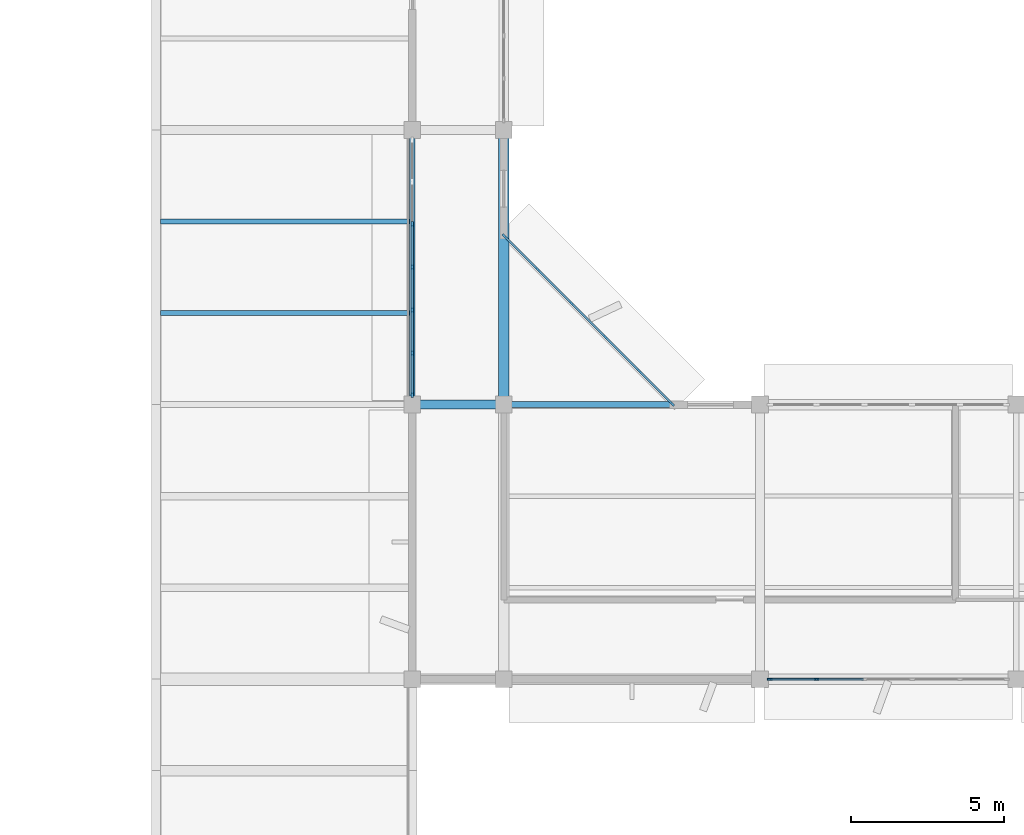
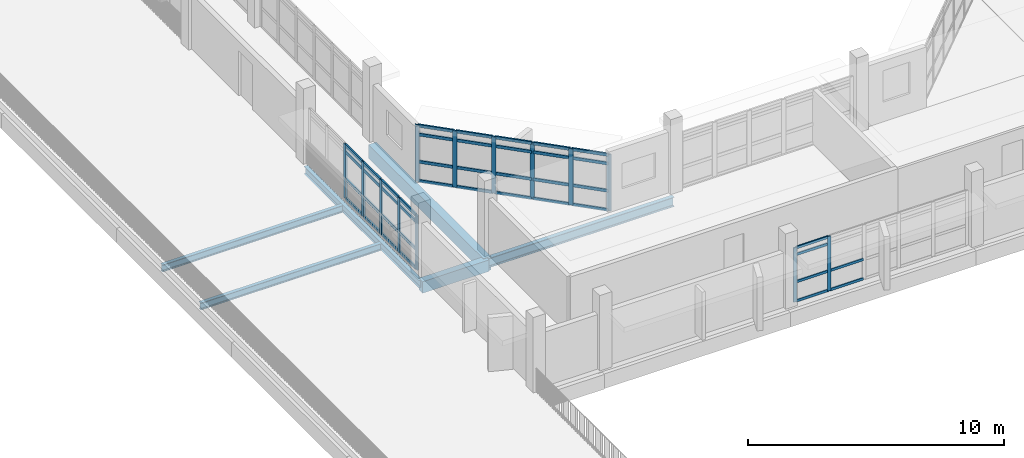
# One storey, part 10 of 92: 55 members, 6 beams, 3 elements without a shape of their own.
"""IFC4 building model written with IfcOpenShell, lengths in metres."""

from ifc_helpers import new_model, si_unit, direction, frame, origin, origin_2d, place, context, subcontext, project, spatial, rectangle, i_section, extrude, material, material_profile, profile_set, type_object, element, aggregate, save


model = new_model("IFC4")

# Units and contexts
model_context = context("Model", 3, precision=1e-05, world=origin(), true_north=direction((0.0, 1.0)))
body_context = subcontext(model_context, "Body", "Model", "MODEL_VIEW")
ifc_project = project(units=[si_unit("LENGTHUNIT", "METRE"), si_unit("AREAUNIT", "SQUARE_METRE"), si_unit("VOLUMEUNIT", "CUBIC_METRE"), si_unit("PLANEANGLEUNIT", "RADIAN"), si_unit("MASSUNIT", "GRAM", prefix="KILO")], contexts=[model_context])

# Site, building, storey
site_placement = place(None, origin())
site = spatial("IfcSite", under=ifc_project, at=site_placement, CompositionType="ELEMENT")
building_placement = place(site_placement, origin())
building = spatial("IfcBuilding", under=site, at=building_placement, Name="Vanh Quang Courtyard School", CompositionType="ELEMENT")
storey_placement = place(building_placement, frame((0.0, 0.0, 7.800048828125)))
storey = spatial("IfcBuildingStorey", under=building, at=storey_placement, Name="L02", CompositionType="ELEMENT", Elevation=7.800048828125)

# Beams
ifc_material_1 = material(Name="Concrete C35/45", Category="concrete")
ifc_material_profile_1 = material_profile(ifc_material_1, rectangle(XDim=0.300048828125, YDim=0.550048828125, at=origin_2d()), Name="RC-BM 300x550")
ifc_profile_set_1 = profile_set([ifc_material_profile_1], Name="Concrete C35/45")
beam_type_1 = type_object("IfcBeamType", Name="BM-RC-300x550", PredefinedType="BEAM", material=ifc_profile_set_1)
beam_1_placement = place(storey_placement, frame((37.800048828125, 41.39990234375, -0.594970703125), z_axis=(1.0, 0.0, 0.0), x_axis=(0.0, 1.0, 0.0)))
element("IfcBeam", 1, at=beam_1_placement, inside=storey, type_object=beam_type_1, Name="Beam B-07 (L02)", PredefinedType="BEAM", context=body_context, shape_type="SweptSolid", body=[
    extrude(rectangle(XDim=0.300048828125, YDim=0.550048828125, at=origin_2d()), origin(), (0.0, 0.0, 1.0), 3.0),
])
ifc_material_profile_2 = material_profile(ifc_material_1, rectangle(XDim=0.35009765625, YDim=0.64990234375, at=origin_2d()), Name="RC-BM 350x650")
ifc_profile_set_2 = profile_set([ifc_material_profile_2], Name="Concrete C35/45")
beam_type_2 = type_object("IfcBeamType", Name="BM-RC-350x650", PredefinedType="BEAM", material=ifc_profile_set_2)
beam_2_placement = place(storey_placement, frame((40.800048828125, 41.39990234375, -0.625), z_axis=(0.0, 1.0, 0.0), x_axis=(-1.0, 0.0, 0.0)))
element("IfcBeam", 2, at=beam_2_placement, inside=storey, type_object=beam_type_2, Name="Beam B-05 (L02)", PredefinedType="BEAM", context=body_context, shape_type="SweptSolid", body=[
    extrude(rectangle(XDim=0.35009765625, YDim=0.64990234375, at=origin_2d()), origin(), (0.0, 0.0, 1.0), 9.0),
])
ifc_material_2 = material(Name="Structural steel EN 10025-2 S355J2", Category="steel")
ifc_material_profile_3 = material_profile(ifc_material_2, i_section(OverallWidth=0.169921875, OverallDepth=0.360107421875, WebThickness=0.008056640625, FlangeThickness=0.0126953125, FilletRadius=0.01806640625, at=origin_2d()), Name="IPE 360")
ifc_profile_set_3 = profile_set([ifc_material_profile_3], Name="Structural steel EN 10025-2 S355J2")
beam_type_3 = type_object("IfcBeamType", Name="BM-STL-IPE360", PredefinedType="BEAM", material=ifc_profile_set_3)
beam_3_placement = place(storey_placement, frame((37.800048828125, 41.39990234375, -0.5), z_axis=(0.0, 1.0, 0.0), x_axis=(-1.0, 0.0, 0.0)))
element("IfcBeam", 3, at=beam_3_placement, inside=storey, type_object=beam_type_3, Name="Beam SB-06 (L02)", PredefinedType="BEAM", context=body_context, shape_type="SweptSolid", body=[
    extrude(i_section(OverallWidth=0.169921875, OverallDepth=0.360107421875, WebThickness=0.008056640625, FlangeThickness=0.0126953125, FilletRadius=0.01806640625, at=origin_2d()), origin(), (0.0, 0.0, 1.0), 9.0),
])
ifc_material_profile_4 = material_profile(ifc_material_2, i_section(OverallWidth=0.18994140625, OverallDepth=0.449951171875, WebThickness=0.009521484375, FlangeThickness=0.0146484375, FilletRadius=0.02099609375, at=origin_2d()), Name="IPE 450")
ifc_profile_set_4 = profile_set([ifc_material_profile_4], Name="Structural steel EN 10025-2 S355J2")
beam_type_4 = type_object("IfcBeamType", Name="BM-STL-IPE450", PredefinedType="BEAM", material=ifc_profile_set_4)
beam_4_placement = place(storey_placement, frame((40.800048828125, 41.39990234375, -0.525146484375), z_axis=(1.0, 0.0, 0.0), x_axis=(0.0, 1.0, 0.0)))
element("IfcBeam", 4, at=beam_4_placement, inside=storey, type_object=beam_type_4, Name="Beam SB-04 (L02)", PredefinedType="BEAM", context=body_context, shape_type="SweptSolid", body=[
    extrude(i_section(OverallWidth=0.18994140625, OverallDepth=0.449951171875, WebThickness=0.009521484375, FlangeThickness=0.0146484375, FilletRadius=0.02099609375, at=origin_2d()), origin(), (0.0, 0.0, 1.0), 8.39990234375),
])

# Curtain wall, members
ifc_material_3 = material(Name="Thermally broken aluminium unitised curtain wall", Category="aluminium")
curtain_wall_type_1 = type_object("IfcCurtainWallType", Name="CW-SYS-24", PredefinedType="NOTDEFINED", material=ifc_material_3)
curtain_wall_1_placement = place(storey_placement, origin())
curtain_wall_1 = element("IfcCurtainWall", 5, at=curtain_wall_1_placement, inside=storey, type_object=curtain_wall_type_1, Name="Curtain Wall CW-24 (L02)", PredefinedType="NOTDEFINED")
ifc_material_4 = material(Name="Anodised aluminium 6063-T6", Category="aluminium")
ifc_material_profile_5 = material_profile(ifc_material_4, rectangle(XDim=0.06005859375, YDim=0.159912109375, at=origin_2d()), Name="ALU-MUL 60x160")
ifc_profile_set_5 = profile_set([ifc_material_profile_5], Name="Anodised aluminium 6063-T6")
member_type_1 = type_object("IfcMemberType", Name="CW-MUL-60x160", PredefinedType="MULLION", material=ifc_profile_set_5)
member_1_placement = place(storey_placement, frame((51.0498046875, 32.39990234375, 0.0), z_axis=(0.0, 0.0, 1.0), x_axis=(0.0, -1.0, 0.0)))
member_1 = element("IfcMember", 6, at=member_1_placement, type_object=member_type_1, Name="CW-24 mullion 5", PredefinedType="MULLION", context=body_context, shape_type="SweptSolid", body=[
    extrude(rectangle(XDim=0.06005859375, YDim=0.159912109375, at=origin_2d()), origin(), (0.0, 0.0, 1.0), 2.599853515625),
])
member_2_placement = place(storey_placement, frame((49.512939453125, 32.39990234375, 0.0), z_axis=(0.0, 0.0, 1.0), x_axis=(0.0, -1.0, 0.0)))
member_2 = element("IfcMember", 7, at=member_2_placement, type_object=member_type_1, Name="CW-24 mullion 6", PredefinedType="MULLION", context=body_context, shape_type="SweptSolid", body=[
    extrude(rectangle(XDim=0.06005859375, YDim=0.159912109375, at=origin_2d()), origin(), (0.0, 0.0, 1.0), 2.599853515625),
])

curtain_wall_type_2 = type_object("IfcCurtainWallType", Name="CW-SYS-48", PredefinedType="NOTDEFINED", material=ifc_material_3)
curtain_wall_2_placement = place(storey_placement, origin())
curtain_wall_2 = element("IfcCurtainWall", 8, at=curtain_wall_2_placement, inside=storey, type_object=curtain_wall_type_2, Name="Curtain Wall CW-48 (L02)", PredefinedType="NOTDEFINED")
ifc_material_profile_6 = material_profile(ifc_material_4, rectangle(XDim=0.070068359375, YDim=0.179931640625, at=origin_2d()), Name="ALU-MUL 70x180")
ifc_profile_set_6 = profile_set([ifc_material_profile_6], Name="Anodised aluminium 6063-T6")
member_type_2 = type_object("IfcMemberType", Name="CW-MUL-70x180", PredefinedType="MULLION", material=ifc_profile_set_6)
member_3_placement = place(storey_placement, frame((37.800048828125, 41.718017578125, 0.0), z_axis=(0.0, 0.0, 1.0), x_axis=(-1.0, 0.0, 0.0)))
member_3 = element("IfcMember", 9, at=member_3_placement, type_object=member_type_2, Name="CW-48 mullion 1", PredefinedType="MULLION", context=body_context, shape_type="SweptSolid", body=[
    extrude(rectangle(XDim=0.070068359375, YDim=0.179931640625, at=origin_2d()), origin(), (0.0, 0.0, 1.0), 2.599853515625),
])
member_4_placement = place(storey_placement, frame((37.800048828125, 43.088623046875, 0.0), z_axis=(0.0, 0.0, 1.0), x_axis=(-1.0, 0.0, 0.0)))
member_4 = element("IfcMember", 10, at=member_4_placement, type_object=member_type_2, Name="CW-48 mullion 2", PredefinedType="MULLION", context=body_context, shape_type="SweptSolid", body=[
    extrude(rectangle(XDim=0.070068359375, YDim=0.179931640625, at=origin_2d()), origin(), (0.0, 0.0, 1.0), 2.599853515625),
])
member_5_placement = place(storey_placement, frame((37.800048828125, 44.494384765625, 0.0), z_axis=(0.0, 0.0, 1.0), x_axis=(-1.0, 0.0, 0.0)))
member_5 = element("IfcMember", 11, at=member_5_placement, type_object=member_type_2, Name="CW-48 mullion 3", PredefinedType="MULLION", context=body_context, shape_type="SweptSolid", body=[
    extrude(rectangle(XDim=0.070068359375, YDim=0.179931640625, at=origin_2d()), origin(), (0.0, 0.0, 1.0), 2.599853515625),
])
member_6_placement = place(storey_placement, frame((37.800048828125, 45.89990234375, 0.0), z_axis=(0.0, 0.0, 1.0), x_axis=(-1.0, 0.0, 0.0)))
member_6 = element("IfcMember", 12, at=member_6_placement, type_object=member_type_2, Name="CW-48 mullion 4", PredefinedType="MULLION", context=body_context, shape_type="SweptSolid", body=[
    extrude(rectangle(XDim=0.070068359375, YDim=0.179931640625, at=origin_2d()), origin(), (0.0, 0.0, 1.0), 2.599853515625),
])
member_7_placement = place(storey_placement, frame((37.800048828125, 47.3056640625, 0.0), z_axis=(0.0, 0.0, 1.0), x_axis=(-1.0, 0.0, 0.0)))
member_7 = element("IfcMember", 13, at=member_7_placement, type_object=member_type_2, Name="CW-48 mullion 5", PredefinedType="MULLION", context=body_context, shape_type="SweptSolid", body=[
    extrude(rectangle(XDim=0.070068359375, YDim=0.179931640625, at=origin_2d()), origin(), (0.0, 0.0, 1.0), 2.599853515625),
])

curtain_wall_type_3 = type_object("IfcCurtainWallType", Name="CW-SYS-51", PredefinedType="NOTDEFINED", material=ifc_material_3)
curtain_wall_3_placement = place(storey_placement, origin())
curtain_wall_3 = element("IfcCurtainWall", 14, at=curtain_wall_3_placement, inside=storey, type_object=curtain_wall_type_3, Name="Curtain Wall CW-51 (L02)", PredefinedType="NOTDEFINED")
member_8_placement = place(storey_placement, frame((40.82470703125, 46.919189453125, 0.0), z_axis=(0.0, 0.0, 1.0), x_axis=(0.707106781187, 0.707106781187, 0.0)))
member_8 = element("IfcMember", 15, at=member_8_placement, type_object=member_type_2, Name="CW-51 mullion 1", PredefinedType="MULLION", context=body_context, shape_type="SweptSolid", body=[
    extrude(rectangle(XDim=0.070068359375, YDim=0.179931640625, at=origin_2d()), origin(), (0.0, 0.0, 1.0), 2.699951171875),
])
member_9_placement = place(storey_placement, frame((41.90869140625, 45.835205078125, 0.0), z_axis=(0.0, 0.0, 1.0), x_axis=(0.707106781187, 0.707106781187, 0.0)))
member_9 = element("IfcMember", 16, at=member_9_placement, type_object=member_type_2, Name="CW-51 mullion 2", PredefinedType="MULLION", context=body_context, shape_type="SweptSolid", body=[
    extrude(rectangle(XDim=0.070068359375, YDim=0.179931640625, at=origin_2d()), origin(), (0.0, 0.0, 1.0), 2.699951171875),
])
member_10_placement = place(storey_placement, frame((43.017578125, 44.726318359375, 0.0), z_axis=(0.0, 0.0, 1.0), x_axis=(0.707106781187, 0.707106781187, 0.0)))
member_10 = element("IfcMember", 17, at=member_10_placement, type_object=member_type_2, Name="CW-51 mullion 3", PredefinedType="MULLION", context=body_context, shape_type="SweptSolid", body=[
    extrude(rectangle(XDim=0.070068359375, YDim=0.179931640625, at=origin_2d()), origin(), (0.0, 0.0, 1.0), 2.699951171875),
])
member_11_placement = place(storey_placement, frame((44.12646484375, 43.61767578125, 0.0), z_axis=(0.0, 0.0, 1.0), x_axis=(0.707106781187, 0.707106781187, 0.0)))
member_11 = element("IfcMember", 18, at=member_11_placement, type_object=member_type_2, Name="CW-51 mullion 4", PredefinedType="MULLION", context=body_context, shape_type="SweptSolid", body=[
    extrude(rectangle(XDim=0.070068359375, YDim=0.179931640625, at=origin_2d()), origin(), (0.0, 0.0, 1.0), 2.699951171875),
])
member_12_placement = place(storey_placement, frame((45.235107421875, 42.5087890625, 0.0), z_axis=(0.0, 0.0, 1.0), x_axis=(0.707106781187, 0.707106781187, 0.0)))
member_12 = element("IfcMember", 19, at=member_12_placement, type_object=member_type_2, Name="CW-51 mullion 5", PredefinedType="MULLION", context=body_context, shape_type="SweptSolid", body=[
    extrude(rectangle(XDim=0.070068359375, YDim=0.179931640625, at=origin_2d()), origin(), (0.0, 0.0, 1.0), 2.699951171875),
])
member_13_placement = place(storey_placement, frame((46.3193359375, 41.4248046875, 0.0), z_axis=(0.0, 0.0, 1.0), x_axis=(0.707106781187, 0.707106781187, 0.0)))
member_13 = element("IfcMember", 20, at=member_13_placement, type_object=member_type_2, Name="CW-51 mullion 6", PredefinedType="MULLION", context=body_context, shape_type="SweptSolid", body=[
    extrude(rectangle(XDim=0.070068359375, YDim=0.179931640625, at=origin_2d()), origin(), (0.0, 0.0, 1.0), 2.699951171875),
])

# Member
ifc_material_profile_7 = material_profile(ifc_material_4, rectangle(XDim=0.06005859375, YDim=0.1201171875, at=origin_2d()), Name="ALU-TRN 60x120")
ifc_profile_set_7 = profile_set([ifc_material_profile_7], Name="Anodised aluminium 6063-T6")
member_type_3 = type_object("IfcMemberType", Name="CW-TRN-60x120", PredefinedType="USERDEFINED", material=ifc_profile_set_7)
member_14_placement = place(storey_placement, frame((52.586669921875, 32.39990234375, 0.030029296875), z_axis=(-1.0, 0.0, 0.0), x_axis=(0.0, -1.0, 0.0)))
member_14 = element("IfcMember", 21, at=member_14_placement, type_object=member_type_3, Name="CW-24 transom 4.1", ObjectType="TRANSOM", PredefinedType="USERDEFINED", context=body_context, shape_type="SweptSolid", body=[
    extrude(rectangle(XDim=0.06005859375, YDim=0.1201171875, at=origin_2d()), origin(), (0.0, 0.0, 1.0), 1.5068359375),
])

member_15_placement = place(storey_placement, frame((52.586669921875, 32.39990234375, 0.949951171875), z_axis=(-1.0, 0.0, 0.0), x_axis=(0.0, -1.0, 0.0)))
member_15 = element("IfcMember", 22, at=member_15_placement, type_object=member_type_3, Name="CW-24 transom 4.2", ObjectType="TRANSOM", PredefinedType="USERDEFINED", context=body_context, shape_type="SweptSolid", body=[
    extrude(rectangle(XDim=0.06005859375, YDim=0.1201171875, at=origin_2d()), origin(), (0.0, 0.0, 1.0), 1.5068359375),
])

member_16_placement = place(storey_placement, frame((51.019775390625, 32.39990234375, 0.030029296875), z_axis=(-1.0, 0.0, 0.0), x_axis=(0.0, -1.0, 0.0)))
member_16 = element("IfcMember", 23, at=member_16_placement, type_object=member_type_3, Name="CW-24 transom 5.1", ObjectType="TRANSOM", PredefinedType="USERDEFINED", context=body_context, shape_type="SweptSolid", body=[
    extrude(rectangle(XDim=0.06005859375, YDim=0.1201171875, at=origin_2d()), origin(), (0.0, 0.0, 1.0), 1.476806640625),
])

member_17_placement = place(storey_placement, frame((51.019775390625, 32.39990234375, 0.949951171875), z_axis=(-1.0, 0.0, 0.0), x_axis=(0.0, -1.0, 0.0)))
member_17 = element("IfcMember", 24, at=member_17_placement, type_object=member_type_3, Name="CW-24 transom 5.2", ObjectType="TRANSOM", PredefinedType="USERDEFINED", context=body_context, shape_type="SweptSolid", body=[
    extrude(rectangle(XDim=0.06005859375, YDim=0.1201171875, at=origin_2d()), origin(), (0.0, 0.0, 1.0), 1.476806640625),
])

member_18_placement = place(storey_placement, frame((51.019775390625, 32.39990234375, 2.25), z_axis=(-1.0, 0.0, 0.0), x_axis=(0.0, -1.0, 0.0)))
member_18 = element("IfcMember", 25, at=member_18_placement, type_object=member_type_3, Name="CW-24 transom 5.3", ObjectType="TRANSOM", PredefinedType="USERDEFINED", context=body_context, shape_type="SweptSolid", body=[
    extrude(rectangle(XDim=0.06005859375, YDim=0.1201171875, at=origin_2d()), origin(), (0.0, 0.0, 1.0), 1.476806640625),
])

member_19_placement = place(storey_placement, frame((51.019775390625, 32.39990234375, 2.570068359375), z_axis=(-1.0, 0.0, 0.0), x_axis=(0.0, -1.0, 0.0)))
member_19 = element("IfcMember", 26, at=member_19_placement, type_object=member_type_3, Name="CW-24 transom 5.4", ObjectType="TRANSOM", PredefinedType="USERDEFINED", context=body_context, shape_type="SweptSolid", body=[
    extrude(rectangle(XDim=0.06005859375, YDim=0.1201171875, at=origin_2d()), origin(), (0.0, 0.0, 1.0), 1.476806640625),
])

aggregate(curtain_wall_1, [member_1, member_2, member_14, member_15, member_16, member_17, member_18, member_19])

ifc_material_profile_8 = material_profile(ifc_material_4, rectangle(XDim=0.070068359375, YDim=0.139892578125, at=origin_2d()), Name="ALU-TRN 70x140")
ifc_profile_set_8 = profile_set([ifc_material_profile_8], Name="Anodised aluminium 6063-T6")
member_type_4 = type_object("IfcMemberType", Name="CW-TRN-70x140", PredefinedType="USERDEFINED", material=ifc_profile_set_8)
member_20_placement = place(storey_placement, frame((37.800048828125, 41.7529296875, 0.034912109375), z_axis=(0.0, 1.0, 0.0), x_axis=(-1.0, 0.0, 0.0)))
member_20 = element("IfcMember", 27, at=member_20_placement, type_object=member_type_4, Name="CW-48 transom 1.1", ObjectType="TRANSOM", PredefinedType="USERDEFINED", context=body_context, shape_type="SweptSolid", body=[
    extrude(rectangle(XDim=0.070068359375, YDim=0.139892578125, at=origin_2d()), origin(), (0.0, 0.0, 1.0), 1.30078125),
])

member_21_placement = place(storey_placement, frame((37.800048828125, 41.7529296875, 0.949951171875), z_axis=(0.0, 1.0, 0.0), x_axis=(-1.0, 0.0, 0.0)))
member_21 = element("IfcMember", 28, at=member_21_placement, type_object=member_type_4, Name="CW-48 transom 1.2", ObjectType="TRANSOM", PredefinedType="USERDEFINED", context=body_context, shape_type="SweptSolid", body=[
    extrude(rectangle(XDim=0.070068359375, YDim=0.139892578125, at=origin_2d()), origin(), (0.0, 0.0, 1.0), 1.30078125),
])

member_22_placement = place(storey_placement, frame((37.800048828125, 41.7529296875, 2.25), z_axis=(0.0, 1.0, 0.0), x_axis=(-1.0, 0.0, 0.0)))
member_22 = element("IfcMember", 29, at=member_22_placement, type_object=member_type_4, Name="CW-48 transom 1.3", ObjectType="TRANSOM", PredefinedType="USERDEFINED", context=body_context, shape_type="SweptSolid", body=[
    extrude(rectangle(XDim=0.070068359375, YDim=0.139892578125, at=origin_2d()), origin(), (0.0, 0.0, 1.0), 1.30078125),
])

member_23_placement = place(storey_placement, frame((37.800048828125, 41.7529296875, 2.56494140625), z_axis=(0.0, 1.0, 0.0), x_axis=(-1.0, 0.0, 0.0)))
member_23 = element("IfcMember", 30, at=member_23_placement, type_object=member_type_4, Name="CW-48 transom 1.4", ObjectType="TRANSOM", PredefinedType="USERDEFINED", context=body_context, shape_type="SweptSolid", body=[
    extrude(rectangle(XDim=0.070068359375, YDim=0.139892578125, at=origin_2d()), origin(), (0.0, 0.0, 1.0), 1.30078125),
])

member_24_placement = place(storey_placement, frame((37.800048828125, 43.123779296875, 0.034912109375), z_axis=(0.0, 1.0, 0.0), x_axis=(-1.0, 0.0, 0.0)))
member_24 = element("IfcMember", 31, at=member_24_placement, type_object=member_type_4, Name="CW-48 transom 2.1", ObjectType="TRANSOM", PredefinedType="USERDEFINED", context=body_context, shape_type="SweptSolid", body=[
    extrude(rectangle(XDim=0.070068359375, YDim=0.139892578125, at=origin_2d()), origin(), (0.0, 0.0, 1.0), 1.33544921875),
])

member_25_placement = place(storey_placement, frame((37.800048828125, 43.123779296875, 0.949951171875), z_axis=(0.0, 1.0, 0.0), x_axis=(-1.0, 0.0, 0.0)))
member_25 = element("IfcMember", 32, at=member_25_placement, type_object=member_type_4, Name="CW-48 transom 2.2", ObjectType="TRANSOM", PredefinedType="USERDEFINED", context=body_context, shape_type="SweptSolid", body=[
    extrude(rectangle(XDim=0.070068359375, YDim=0.139892578125, at=origin_2d()), origin(), (0.0, 0.0, 1.0), 1.33544921875),
])

member_26_placement = place(storey_placement, frame((37.800048828125, 43.123779296875, 2.25), z_axis=(0.0, 1.0, 0.0), x_axis=(-1.0, 0.0, 0.0)))
member_26 = element("IfcMember", 33, at=member_26_placement, type_object=member_type_4, Name="CW-48 transom 2.3", ObjectType="TRANSOM", PredefinedType="USERDEFINED", context=body_context, shape_type="SweptSolid", body=[
    extrude(rectangle(XDim=0.070068359375, YDim=0.139892578125, at=origin_2d()), origin(), (0.0, 0.0, 1.0), 1.33544921875),
])

member_27_placement = place(storey_placement, frame((37.800048828125, 43.123779296875, 2.56494140625), z_axis=(0.0, 1.0, 0.0), x_axis=(-1.0, 0.0, 0.0)))
member_27 = element("IfcMember", 34, at=member_27_placement, type_object=member_type_4, Name="CW-48 transom 2.4", ObjectType="TRANSOM", PredefinedType="USERDEFINED", context=body_context, shape_type="SweptSolid", body=[
    extrude(rectangle(XDim=0.070068359375, YDim=0.139892578125, at=origin_2d()), origin(), (0.0, 0.0, 1.0), 1.33544921875),
])

member_28_placement = place(storey_placement, frame((37.800048828125, 44.529296875, 0.034912109375), z_axis=(0.0, 1.0, 0.0), x_axis=(-1.0, 0.0, 0.0)))
member_28 = element("IfcMember", 35, at=member_28_placement, type_object=member_type_4, Name="CW-48 transom 3.1", ObjectType="TRANSOM", PredefinedType="USERDEFINED", context=body_context, shape_type="SweptSolid", body=[
    extrude(rectangle(XDim=0.070068359375, YDim=0.139892578125, at=origin_2d()), origin(), (0.0, 0.0, 1.0), 1.335693359375),
])

member_29_placement = place(storey_placement, frame((37.800048828125, 44.529296875, 0.949951171875), z_axis=(0.0, 1.0, 0.0), x_axis=(-1.0, 0.0, 0.0)))
member_29 = element("IfcMember", 36, at=member_29_placement, type_object=member_type_4, Name="CW-48 transom 3.2", ObjectType="TRANSOM", PredefinedType="USERDEFINED", context=body_context, shape_type="SweptSolid", body=[
    extrude(rectangle(XDim=0.070068359375, YDim=0.139892578125, at=origin_2d()), origin(), (0.0, 0.0, 1.0), 1.335693359375),
])

member_30_placement = place(storey_placement, frame((37.800048828125, 44.529296875, 2.25), z_axis=(0.0, 1.0, 0.0), x_axis=(-1.0, 0.0, 0.0)))
member_30 = element("IfcMember", 37, at=member_30_placement, type_object=member_type_4, Name="CW-48 transom 3.3", ObjectType="TRANSOM", PredefinedType="USERDEFINED", context=body_context, shape_type="SweptSolid", body=[
    extrude(rectangle(XDim=0.070068359375, YDim=0.139892578125, at=origin_2d()), origin(), (0.0, 0.0, 1.0), 1.335693359375),
])

member_31_placement = place(storey_placement, frame((37.800048828125, 44.529296875, 2.56494140625), z_axis=(0.0, 1.0, 0.0), x_axis=(-1.0, 0.0, 0.0)))
member_31 = element("IfcMember", 38, at=member_31_placement, type_object=member_type_4, Name="CW-48 transom 3.4", ObjectType="TRANSOM", PredefinedType="USERDEFINED", context=body_context, shape_type="SweptSolid", body=[
    extrude(rectangle(XDim=0.070068359375, YDim=0.139892578125, at=origin_2d()), origin(), (0.0, 0.0, 1.0), 1.335693359375),
])

member_32_placement = place(storey_placement, frame((37.800048828125, 45.93505859375, 0.034912109375), z_axis=(0.0, 1.0, 0.0), x_axis=(-1.0, 0.0, 0.0)))
member_32 = element("IfcMember", 39, at=member_32_placement, type_object=member_type_4, Name="CW-48 transom 4.1", ObjectType="TRANSOM", PredefinedType="USERDEFINED", context=body_context, shape_type="SweptSolid", body=[
    extrude(rectangle(XDim=0.070068359375, YDim=0.139892578125, at=origin_2d()), origin(), (0.0, 0.0, 1.0), 1.335693359375),
])

member_33_placement = place(storey_placement, frame((37.800048828125, 45.93505859375, 0.949951171875), z_axis=(0.0, 1.0, 0.0), x_axis=(-1.0, 0.0, 0.0)))
member_33 = element("IfcMember", 40, at=member_33_placement, type_object=member_type_4, Name="CW-48 transom 4.2", ObjectType="TRANSOM", PredefinedType="USERDEFINED", context=body_context, shape_type="SweptSolid", body=[
    extrude(rectangle(XDim=0.070068359375, YDim=0.139892578125, at=origin_2d()), origin(), (0.0, 0.0, 1.0), 1.335693359375),
])

member_34_placement = place(storey_placement, frame((37.800048828125, 45.93505859375, 2.25), z_axis=(0.0, 1.0, 0.0), x_axis=(-1.0, 0.0, 0.0)))
member_34 = element("IfcMember", 41, at=member_34_placement, type_object=member_type_4, Name="CW-48 transom 4.3", ObjectType="TRANSOM", PredefinedType="USERDEFINED", context=body_context, shape_type="SweptSolid", body=[
    extrude(rectangle(XDim=0.070068359375, YDim=0.139892578125, at=origin_2d()), origin(), (0.0, 0.0, 1.0), 1.335693359375),
])

member_35_placement = place(storey_placement, frame((37.800048828125, 45.93505859375, 2.56494140625), z_axis=(0.0, 1.0, 0.0), x_axis=(-1.0, 0.0, 0.0)))
member_35 = element("IfcMember", 42, at=member_35_placement, type_object=member_type_4, Name="CW-48 transom 4.4", ObjectType="TRANSOM", PredefinedType="USERDEFINED", context=body_context, shape_type="SweptSolid", body=[
    extrude(rectangle(XDim=0.070068359375, YDim=0.139892578125, at=origin_2d()), origin(), (0.0, 0.0, 1.0), 1.335693359375),
])

aggregate(curtain_wall_2, [member_3, member_4, member_5, member_6, member_7, member_20, member_21, member_22, member_23, member_24, member_25, member_26, member_27, member_28, member_29, member_30, member_31, member_32, member_33, member_34, member_35])

member_36_placement = place(storey_placement, frame((40.849609375, 46.89453125, 0.034912109375), z_axis=(0.707023341836, -0.707190210692, 0.0), x_axis=(0.707190210692, 0.707023341836, 0.0)))
member_36 = element("IfcMember", 43, at=member_36_placement, type_object=member_type_4, Name="CW-51 transom 1.1", ObjectType="TRANSOM", PredefinedType="USERDEFINED", context=body_context, shape_type="SweptSolid", body=[
    extrude(rectangle(XDim=0.070068359375, YDim=0.139892578125, at=origin_2d()), origin(), (0.0, 0.0, 1.0), 1.463134765625),
])

member_37_placement = place(storey_placement, frame((40.849609375, 46.89453125, 0.949951171875), z_axis=(0.707023341836, -0.707190210692, 0.0), x_axis=(0.707190210692, 0.707023341836, 0.0)))
member_37 = element("IfcMember", 44, at=member_37_placement, type_object=member_type_4, Name="CW-51 transom 1.2", ObjectType="TRANSOM", PredefinedType="USERDEFINED", context=body_context, shape_type="SweptSolid", body=[
    extrude(rectangle(XDim=0.070068359375, YDim=0.139892578125, at=origin_2d()), origin(), (0.0, 0.0, 1.0), 1.463134765625),
])

member_38_placement = place(storey_placement, frame((40.849609375, 46.89453125, 2.25), z_axis=(0.707023341836, -0.707190210692, 0.0), x_axis=(0.707190210692, 0.707023341836, 0.0)))
member_38 = element("IfcMember", 45, at=member_38_placement, type_object=member_type_4, Name="CW-51 transom 1.3", ObjectType="TRANSOM", PredefinedType="USERDEFINED", context=body_context, shape_type="SweptSolid", body=[
    extrude(rectangle(XDim=0.070068359375, YDim=0.139892578125, at=origin_2d()), origin(), (0.0, 0.0, 1.0), 1.463134765625),
])

member_39_placement = place(storey_placement, frame((40.849609375, 46.89453125, 2.6650390625), z_axis=(0.707023341836, -0.707190210692, 0.0), x_axis=(0.707190210692, 0.707023341836, 0.0)))
member_39 = element("IfcMember", 46, at=member_39_placement, type_object=member_type_4, Name="CW-51 transom 1.4", ObjectType="TRANSOM", PredefinedType="USERDEFINED", context=body_context, shape_type="SweptSolid", body=[
    extrude(rectangle(XDim=0.070068359375, YDim=0.139892578125, at=origin_2d()), origin(), (0.0, 0.0, 1.0), 1.463134765625),
])

member_40_placement = place(storey_placement, frame((41.93359375, 45.810546875, 0.034912109375), z_axis=(0.707106781187, -0.707106781187, 0.0), x_axis=(0.707106781187, 0.707106781187, 0.0)))
member_40 = element("IfcMember", 47, at=member_40_placement, type_object=member_type_4, Name="CW-51 transom 2.1", ObjectType="TRANSOM", PredefinedType="USERDEFINED", context=body_context, shape_type="SweptSolid", body=[
    extrude(rectangle(XDim=0.070068359375, YDim=0.139892578125, at=origin_2d()), origin(), (0.0, 0.0, 1.0), 1.498046875),
])

member_41_placement = place(storey_placement, frame((41.93359375, 45.810546875, 0.949951171875), z_axis=(0.707106781187, -0.707106781187, 0.0), x_axis=(0.707106781187, 0.707106781187, 0.0)))
member_41 = element("IfcMember", 48, at=member_41_placement, type_object=member_type_4, Name="CW-51 transom 2.2", ObjectType="TRANSOM", PredefinedType="USERDEFINED", context=body_context, shape_type="SweptSolid", body=[
    extrude(rectangle(XDim=0.070068359375, YDim=0.139892578125, at=origin_2d()), origin(), (0.0, 0.0, 1.0), 1.498046875),
])

member_42_placement = place(storey_placement, frame((41.93359375, 45.810546875, 2.25), z_axis=(0.707106781187, -0.707106781187, 0.0), x_axis=(0.707106781187, 0.707106781187, 0.0)))
member_42 = element("IfcMember", 49, at=member_42_placement, type_object=member_type_4, Name="CW-51 transom 2.3", ObjectType="TRANSOM", PredefinedType="USERDEFINED", context=body_context, shape_type="SweptSolid", body=[
    extrude(rectangle(XDim=0.070068359375, YDim=0.139892578125, at=origin_2d()), origin(), (0.0, 0.0, 1.0), 1.498046875),
])

member_43_placement = place(storey_placement, frame((41.93359375, 45.810546875, 2.6650390625), z_axis=(0.707106781187, -0.707106781187, 0.0), x_axis=(0.707106781187, 0.707106781187, 0.0)))
member_43 = element("IfcMember", 50, at=member_43_placement, type_object=member_type_4, Name="CW-51 transom 2.4", ObjectType="TRANSOM", PredefinedType="USERDEFINED", context=body_context, shape_type="SweptSolid", body=[
    extrude(rectangle(XDim=0.070068359375, YDim=0.139892578125, at=origin_2d()), origin(), (0.0, 0.0, 1.0), 1.498046875),
])

member_44_placement = place(storey_placement, frame((43.042236328125, 44.70166015625, 0.034912109375), z_axis=(0.707106781187, -0.707106781187, 0.0), x_axis=(0.707106781187, 0.707106781187, 0.0)))
member_44 = element("IfcMember", 51, at=member_44_placement, type_object=member_type_4, Name="CW-51 transom 3.1", ObjectType="TRANSOM", PredefinedType="USERDEFINED", context=body_context, shape_type="SweptSolid", body=[
    extrude(rectangle(XDim=0.070068359375, YDim=0.139892578125, at=origin_2d()), origin(), (0.0, 0.0, 1.0), 1.498046875),
])

member_45_placement = place(storey_placement, frame((43.042236328125, 44.70166015625, 0.949951171875), z_axis=(0.707106781187, -0.707106781187, 0.0), x_axis=(0.707106781187, 0.707106781187, 0.0)))
member_45 = element("IfcMember", 52, at=member_45_placement, type_object=member_type_4, Name="CW-51 transom 3.2", ObjectType="TRANSOM", PredefinedType="USERDEFINED", context=body_context, shape_type="SweptSolid", body=[
    extrude(rectangle(XDim=0.070068359375, YDim=0.139892578125, at=origin_2d()), origin(), (0.0, 0.0, 1.0), 1.498046875),
])

member_46_placement = place(storey_placement, frame((43.042236328125, 44.70166015625, 2.25), z_axis=(0.707106781187, -0.707106781187, 0.0), x_axis=(0.707106781187, 0.707106781187, 0.0)))
member_46 = element("IfcMember", 53, at=member_46_placement, type_object=member_type_4, Name="CW-51 transom 3.3", ObjectType="TRANSOM", PredefinedType="USERDEFINED", context=body_context, shape_type="SweptSolid", body=[
    extrude(rectangle(XDim=0.070068359375, YDim=0.139892578125, at=origin_2d()), origin(), (0.0, 0.0, 1.0), 1.498046875),
])

member_47_placement = place(storey_placement, frame((43.042236328125, 44.70166015625, 2.6650390625), z_axis=(0.707106781187, -0.707106781187, 0.0), x_axis=(0.707106781187, 0.707106781187, 0.0)))
member_47 = element("IfcMember", 54, at=member_47_placement, type_object=member_type_4, Name="CW-51 transom 3.4", ObjectType="TRANSOM", PredefinedType="USERDEFINED", context=body_context, shape_type="SweptSolid", body=[
    extrude(rectangle(XDim=0.070068359375, YDim=0.139892578125, at=origin_2d()), origin(), (0.0, 0.0, 1.0), 1.498046875),
])

member_48_placement = place(storey_placement, frame((44.151123046875, 43.5927734375, 0.034912109375), z_axis=(0.707106781187, -0.707106781187, 0.0), x_axis=(0.707106781187, 0.707106781187, 0.0)))
member_48 = element("IfcMember", 55, at=member_48_placement, type_object=member_type_4, Name="CW-51 transom 4.1", ObjectType="TRANSOM", PredefinedType="USERDEFINED", context=body_context, shape_type="SweptSolid", body=[
    extrude(rectangle(XDim=0.070068359375, YDim=0.139892578125, at=origin_2d()), origin(), (0.0, 0.0, 1.0), 1.498046875),
])

member_49_placement = place(storey_placement, frame((44.151123046875, 43.5927734375, 0.949951171875), z_axis=(0.707106781187, -0.707106781187, 0.0), x_axis=(0.707106781187, 0.707106781187, 0.0)))
member_49 = element("IfcMember", 56, at=member_49_placement, type_object=member_type_4, Name="CW-51 transom 4.2", ObjectType="TRANSOM", PredefinedType="USERDEFINED", context=body_context, shape_type="SweptSolid", body=[
    extrude(rectangle(XDim=0.070068359375, YDim=0.139892578125, at=origin_2d()), origin(), (0.0, 0.0, 1.0), 1.498046875),
])

member_50_placement = place(storey_placement, frame((44.151123046875, 43.5927734375, 2.25), z_axis=(0.707106781187, -0.707106781187, 0.0), x_axis=(0.707106781187, 0.707106781187, 0.0)))
member_50 = element("IfcMember", 57, at=member_50_placement, type_object=member_type_4, Name="CW-51 transom 4.3", ObjectType="TRANSOM", PredefinedType="USERDEFINED", context=body_context, shape_type="SweptSolid", body=[
    extrude(rectangle(XDim=0.070068359375, YDim=0.139892578125, at=origin_2d()), origin(), (0.0, 0.0, 1.0), 1.498046875),
])

member_51_placement = place(storey_placement, frame((44.151123046875, 43.5927734375, 2.6650390625), z_axis=(0.707106781187, -0.707106781187, 0.0), x_axis=(0.707106781187, 0.707106781187, 0.0)))
member_51 = element("IfcMember", 58, at=member_51_placement, type_object=member_type_4, Name="CW-51 transom 4.4", ObjectType="TRANSOM", PredefinedType="USERDEFINED", context=body_context, shape_type="SweptSolid", body=[
    extrude(rectangle(XDim=0.070068359375, YDim=0.139892578125, at=origin_2d()), origin(), (0.0, 0.0, 1.0), 1.498046875),
])

member_52_placement = place(storey_placement, frame((45.260009765625, 42.484130859375, 0.034912109375), z_axis=(0.707023341836, -0.707190210692, 0.0), x_axis=(0.707190210692, 0.707023341836, 0.0)))
member_52 = element("IfcMember", 59, at=member_52_placement, type_object=member_type_4, Name="CW-51 transom 5.1", ObjectType="TRANSOM", PredefinedType="USERDEFINED", context=body_context, shape_type="SweptSolid", body=[
    extrude(rectangle(XDim=0.070068359375, YDim=0.139892578125, at=origin_2d()), origin(), (0.0, 0.0, 1.0), 1.463134765625),
])

member_53_placement = place(storey_placement, frame((45.260009765625, 42.484130859375, 0.949951171875), z_axis=(0.707023341836, -0.707190210692, 0.0), x_axis=(0.707190210692, 0.707023341836, 0.0)))
member_53 = element("IfcMember", 60, at=member_53_placement, type_object=member_type_4, Name="CW-51 transom 5.2", ObjectType="TRANSOM", PredefinedType="USERDEFINED", context=body_context, shape_type="SweptSolid", body=[
    extrude(rectangle(XDim=0.070068359375, YDim=0.139892578125, at=origin_2d()), origin(), (0.0, 0.0, 1.0), 1.463134765625),
])

member_54_placement = place(storey_placement, frame((45.260009765625, 42.484130859375, 2.25), z_axis=(0.707023341836, -0.707190210692, 0.0), x_axis=(0.707190210692, 0.707023341836, 0.0)))
member_54 = element("IfcMember", 61, at=member_54_placement, type_object=member_type_4, Name="CW-51 transom 5.3", ObjectType="TRANSOM", PredefinedType="USERDEFINED", context=body_context, shape_type="SweptSolid", body=[
    extrude(rectangle(XDim=0.070068359375, YDim=0.139892578125, at=origin_2d()), origin(), (0.0, 0.0, 1.0), 1.463134765625),
])

member_55_placement = place(storey_placement, frame((45.260009765625, 42.484130859375, 2.6650390625), z_axis=(0.707023341836, -0.707190210692, 0.0), x_axis=(0.707190210692, 0.707023341836, 0.0)))
member_55 = element("IfcMember", 62, at=member_55_placement, type_object=member_type_4, Name="CW-51 transom 5.4", ObjectType="TRANSOM", PredefinedType="USERDEFINED", context=body_context, shape_type="SweptSolid", body=[
    extrude(rectangle(XDim=0.070068359375, YDim=0.139892578125, at=origin_2d()), origin(), (0.0, 0.0, 1.0), 1.463134765625),
])

aggregate(curtain_wall_3, [member_8, member_9, member_10, member_11, member_12, member_13, member_36, member_37, member_38, member_39, member_40, member_41, member_42, member_43, member_44, member_45, member_46, member_47, member_48, member_49, member_50, member_51, member_52, member_53, member_54, member_55])

# Beams
ifc_material_profile_9 = material_profile(ifc_material_2, i_section(OverallWidth=0.159912109375, OverallDepth=0.330078125, WebThickness=0.007568359375, FlangeThickness=0.011474609375, FilletRadius=0.01806640625, at=origin_2d()), Name="IPE 330")
ifc_profile_set_9 = profile_set([ifc_material_profile_9], Name="Structural steel EN 10025-2 S355J2")
beam_type_5 = type_object("IfcBeamType", Name="JST-STL-IPE330", PredefinedType="JOIST", material=ifc_profile_set_9)
for number, where, z_axis, x_axis, name in (
    (63, (29.550048828125, 44.39990234375, -0.485107421875), (1.0, 0.0, 0.0), (0.0, 1.0, 0.0), "Beam SJ-01 (L02)"),
    (64, (29.550048828125, 47.39990234375, -0.485107421875), (1.0, 0.0, 0.0), (0.0, 1.0, 0.0), "Beam SJ-01 (L02)"),
):
    element("IfcBeam", number, at=place(storey_placement, frame(where, z_axis=z_axis, x_axis=x_axis)), inside=storey, type_object=beam_type_5, Name=name, PredefinedType="JOIST", context=body_context, shape_type="SweptSolid", body=[
        extrude(i_section(OverallWidth=0.159912109375, OverallDepth=0.330078125, WebThickness=0.007568359375, FlangeThickness=0.011474609375, FilletRadius=0.01806640625, at=origin_2d()), origin(), (0.0, 0.0, 1.0), 8.1650390625),
    ])

save(model, "model.ifc")
